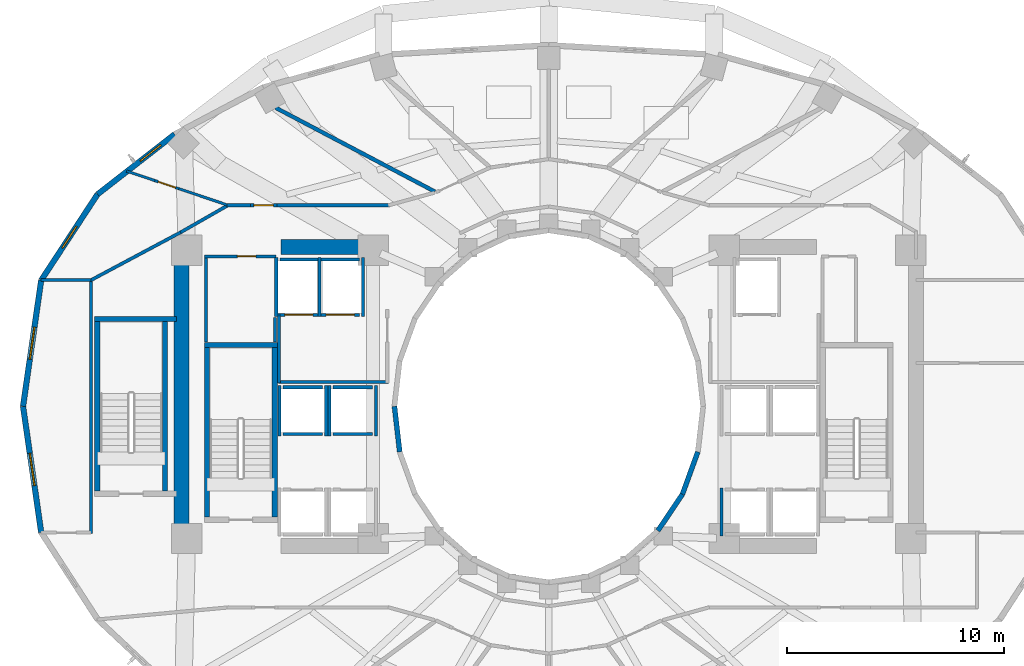
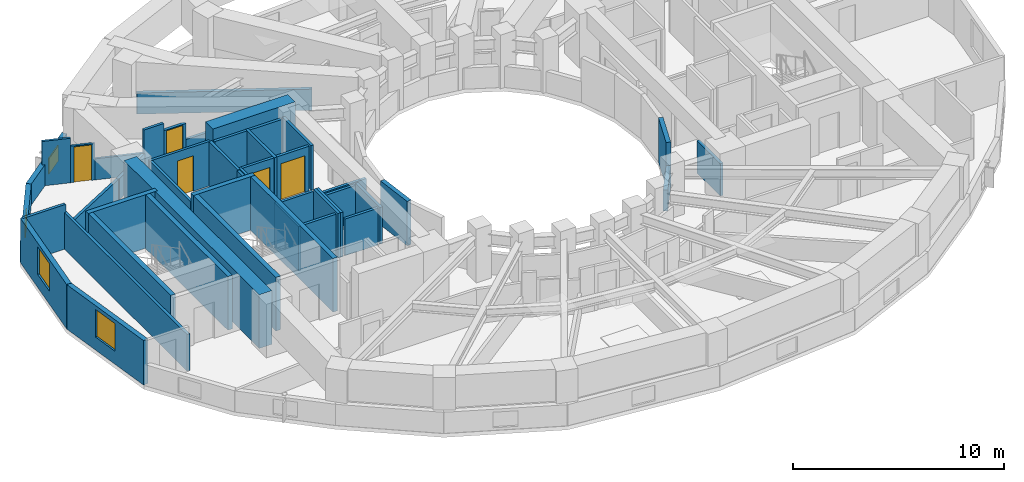
# One storey, part 4 of 10: 47 walls, 5 doors, 4 windows, 9 openings.
"""IFC4 building model written with IfcOpenShell, lengths in metres."""

from ifc_helpers import new_model, si_unit, direction, frame, frame_2d, origin, place, context, subcontext, project, spatial, rectangle, extrude, material, layer, layer_set, type_object, element, fill, save


model = new_model("IFC4")

# Units and contexts
model_context = context("Model", 3, precision=1e-05, world=origin(), true_north=direction((0.0, 1.0)))
body_context = subcontext(model_context, "Body", "Model", "MODEL_VIEW")
ifc_project = project(units=[si_unit("LENGTHUNIT", "METRE"), si_unit("AREAUNIT", "SQUARE_METRE"), si_unit("VOLUMEUNIT", "CUBIC_METRE"), si_unit("PLANEANGLEUNIT", "RADIAN"), si_unit("MASSUNIT", "GRAM", prefix="KILO")], contexts=[model_context])

# Site, building, storey
site_placement = place(None, origin())
site = spatial("IfcSite", under=ifc_project, at=site_placement, CompositionType="ELEMENT")
building_placement = place(site_placement, origin())
building = spatial("IfcBuilding", under=site, at=building_placement, Name="Solvane Sanctuary Tower", CompositionType="ELEMENT")
storey_placement = place(building_placement, frame((0.0, 0.0, 101.10009765625)))
storey = spatial("IfcBuildingStorey", under=building, at=storey_placement, Name="L30", CompositionType="ELEMENT", Elevation=101.10009765625)

# Walls
ifc_material_1 = material(Name="Concrete C60/75", Category="concrete")
ifc_layer_1 = layer(ifc_material_1, 0.699951171875, Name="Concrete C60/75")
ifc_layer_set_1 = layer_set([ifc_layer_1], Name="Concrete C60/75")
wall_type_1 = type_object("IfcWallType", Name="Wall W-CORE-700", PredefinedType="SHEAR", material=ifc_layer_set_1)
wall_1_placement = place(storey_placement, frame((15.050048828125, 17.050048828125, 0.0), z_axis=(0.0, 0.0, 1.0), x_axis=(0.0, 1.0, 0.0)))
element("IfcWall", 1, at=wall_1_placement, inside=storey, type_object=wall_type_1, Name="L30 Core Shear Wall WC-W", PredefinedType="SHEAR", context=body_context, shape_type="SweptSolid", body=[
    extrude(rectangle(XDim=12.800048828125, YDim=0.699951171875, at=frame_2d((6.39990234375, 0.0))), origin(), (0.0, 0.0, 1.0), 3.099853515625),
])
wall_2_placement = place(storey_placement, frame((19.64990234375, 30.35009765625, 0.0), z_axis=(0.0, 0.0, 1.0), x_axis=(1.0, 0.0, 0.0)))
element("IfcWall", 2, at=wall_2_placement, inside=storey, type_object=wall_type_1, Name="L30 Core Shear Wall WC-N", PredefinedType="SHEAR", context=body_context, shape_type="SweptSolid", body=[
    extrude(rectangle(XDim=4.5, YDim=0.699951171875, at=frame_2d((2.25, 0.0))), origin(), (0.0, 0.0, 1.0), 3.099853515625),
])
ifc_material_2 = material(Name="Acoustic Gypsum Partition Board")
ifc_layer_2 = layer(ifc_material_2, 0.14990234375, Name="Acoustic Gypsum Partition Board")
ifc_layer_set_2 = layer_set([ifc_layer_2], Name="Acoustic Gypsum Partition Board")
wall_type_2 = type_object("IfcWallType", Name="Wall W-CORR-150", PredefinedType="PARTITIONING", material=ifc_layer_set_2)
wall_3_placement = place(storey_placement, frame((19.52001953125, 24.1201171875, 0.0), z_axis=(0.0, 0.0, 1.0), x_axis=(1.0, 0.0, 0.0)))
element("IfcWall", 3, at=wall_3_placement, inside=storey, type_object=wall_type_2, Name="L30 West Firefighting Lobby South Wall", PredefinedType="PARTITIONING", context=body_context, shape_type="SweptSolid", body=[
    extrude(rectangle(XDim=5.080078125, YDim=0.14990234375, at=frame_2d((2.5400390625, 0.0))), origin(), (0.0, 0.0, 1.0), 2.119873046875),
])
wall_4_placement = place(storey_placement, frame((19.550048828125, 24.080078125, 0.0), z_axis=(0.0, 0.0, 1.0), x_axis=(0.0, 1.0, 0.0)))
element("IfcWall", 4, at=wall_4_placement, inside=storey, type_object=wall_type_2, Name="L30 West Firefighting Lobby West Wall", PredefinedType="PARTITIONING", context=body_context, shape_type="SweptSolid", body=[
    extrude(rectangle(XDim=3.199951171875, YDim=0.14990234375, at=frame_2d((1.60009765625, 0.0))), origin(), (0.0, 0.0, 1.0), 2.574951171875),
])
wall_5_placement = place(storey_placement, frame((10.8798828125, 17.134765625, 0.0), z_axis=(0.0, 0.0, 1.0), x_axis=(0.0, 1.0, 0.0)))
element("IfcWall", 5, at=wall_5_placement, inside=storey, type_object=wall_type_2, Name="L30 West Shoulder Back Wall", PredefinedType="PARTITIONING", context=body_context, shape_type="SweptSolid", body=[
    extrude(rectangle(XDim=11.73046875, YDim=0.14990234375, at=frame_2d((5.865234375, 0.0))), origin(), (0.0, 0.0, 1.0), 2.119873046875),
])
wall_6_placement = place(storey_placement, frame((8.558349609375, 28.8251953125, 0.0), z_axis=(0.0, 0.0, 1.0), x_axis=(1.0, 0.0, 0.0)))
element("IfcWall", 6, at=wall_6_placement, inside=storey, type_object=wall_type_2, Name="L30 West Shoulder North Wall", PredefinedType="PARTITIONING", context=body_context, shape_type="SweptSolid", body=[
    extrude(rectangle(XDim=2.321533203125, YDim=0.14990234375, at=frame_2d((1.16064453125, 0.0))), origin(), (0.0, 0.0, 1.0), 2.574951171875),
])
wall_7_placement = place(storey_placement, frame((10.8447265625, 28.806396484375, 0.0), z_axis=(0.0, 0.0, 1.0), x_axis=(0.88227840565, 0.470727962759, 0.0)))
element("IfcWall", 7, at=wall_7_placement, inside=storey, type_object=wall_type_2, Name="L30 NW Corner Closer 1", PredefinedType="PARTITIONING", context=body_context, shape_type="SweptSolid", body=[
    extrude(rectangle(XDim=4.806396484375, YDim=0.14990234375, at=frame_2d((2.4033203125, 0.0))), origin(), (0.0, 0.0, 1.0), 1.219970703125),
])
wall_8_placement = place(storey_placement, frame((17.14990234375, 32.280029296875, 0.0), z_axis=(0.0, 0.0, 1.0), x_axis=(1.0, 0.0, 0.0)))
element("IfcWall", 8, at=wall_8_placement, inside=storey, type_object=wall_type_2, Name="L30 NW Corner Corridor Wall", PredefinedType="PARTITIONING", context=body_context, shape_type="SweptSolid", body=[
    extrude(rectangle(XDim=1.08251953125, YDim=0.14990234375, at=frame_2d((0.541259765625, 0.0))), origin(), (0.0, 0.0, 1.0), 2.574951171875),
])

# Wall, opening, door
wall_9_placement = place(storey_placement, frame((18.232421875, 32.280029296875, 0.0), z_axis=(0.0, 0.0, 1.0), x_axis=(1.0, 0.0, 0.0)))
wall_9 = element("IfcWall", 9, at=wall_9_placement, inside=storey, type_object=wall_type_2, Name="L30 NW Corner Corridor Wall", PredefinedType="PARTITIONING", context=body_context, shape_type="SweptSolid", body=[
    extrude(rectangle(XDim=1.219970703125, YDim=0.14990234375, at=frame_2d((0.60986328125, 0.0))), origin(), (0.0, 0.0, 1.0), 2.159912109375),
])
opening_1_placement = place(wall_9_placement, frame((0.159912109375, 0.0, 0.0)))
opening_1 = element("IfcOpeningElement", 10, at=opening_1_placement, cuts=wall_9, Name="Opening D-L30-13", PredefinedType="OPENING", context=body_context, shape_type="SweptSolid", body=[
    extrude(rectangle(XDim=0.89990234375, YDim=2.10009765625, at=frame_2d((0.449951171875, 1.050048828125))), frame((0.0, 0.0849609375, 0.0), z_axis=(0.0, -1.0, 0.0), x_axis=(1.0, 0.0, 0.0)), (0.0, 0.0, 1.0), 0.169921875),
])
ifc_material_3 = material(Name="Engineered Tropical Hardwood", Category="wood")
door_type_1 = type_object("IfcDoorType", Name="Door D-WET-900", OperationType="NOTDEFINED", PredefinedType="DOOR", material=ifc_material_3)
door_1_placement = place(opening_1_placement, origin())
door_1 = element("IfcDoor", 11, at=door_1_placement, inside=storey, type_object=door_type_1, Name="L30 NW Corner Salon Door", OperationType="SINGLE_SWING_RIGHT", OverallHeight=2.10009765625, OverallWidth=0.89990234375, PredefinedType="DOOR", context=body_context, shape_type="SweptSolid", body=[
    extrude(rectangle(XDim=0.89990234375, YDim=2.10009765625, at=frame_2d((0.449951171875, 1.050048828125))), frame((0.0, 0.02490234375, 0.0), z_axis=(0.0, -1.0, 0.0), x_axis=(1.0, 0.0, 0.0)), (0.0, 0.0, 1.0), 0.050048828125),
])
fill(opening_1, door_1)

# Walls
wall_10_placement = place(storey_placement, frame((19.452392578125, 32.280029296875, 0.0), z_axis=(0.0, 0.0, 1.0), x_axis=(1.0, 0.0, 0.0)))
element("IfcWall", 12, at=wall_10_placement, inside=storey, type_object=wall_type_2, Name="L30 NW Corner Corridor Wall", PredefinedType="PARTITIONING", context=body_context, shape_type="SweptSolid", body=[
    extrude(rectangle(XDim=5.217529296875, YDim=0.14990234375, at=frame_2d((2.60888671875, 0.0))), origin(), (0.0, 0.0, 1.0), 1.219970703125),
])
wall_11_placement = place(storey_placement, frame((17.243408203125, 32.3046875, 0.0), z_axis=(0.0, 0.0, 1.0), x_axis=(-0.867991349648, -0.496579315857, 0.0)))
element("IfcWall", 13, at=wall_11_placement, inside=storey, type_object=wall_type_2, Name="L30 NW Corner Wing Wall", PredefinedType="PARTITIONING", context=body_context, shape_type="SweptSolid", body=[
    extrude(rectangle(XDim=2.56689453125, YDim=0.14990234375, at=frame_2d((1.283447265625, 0.0))), origin(), (0.0, 0.0, 1.0), 1.219970703125),
])

# Wall, opening, window
ifc_material_4 = material(Name="Precast concrete C40/50", Category="concrete")
ifc_layer_3 = layer(ifc_material_4, 0.260009765625, Name="Precast concrete C40/50")
ifc_layer_set_3 = layer_set([ifc_layer_3], Name="Precast concrete C40/50")
wall_type_3 = type_object("IfcWallType", Name="Wall W-EXT-250", PredefinedType="STANDARD", material=ifc_layer_set_3)
wall_12_placement = place(storey_placement, frame((14.734130859375, 35.55322265625, 0.0), z_axis=(0.0, 0.0, 1.0), x_axis=(-0.789127449954, -0.614229491094, 0.0)))
wall_12 = element("IfcWall", 14, at=wall_12_placement, inside=storey, type_object=wall_type_3, Name="L30 Ceramic-Printed Facade Wall 09", PredefinedType="STANDARD", context=body_context, shape_type="SweptSolid", body=[
    extrude(rectangle(XDim=4.504638671875, YDim=0.260009765625, at=frame_2d((2.25244140625, 0.0))), origin(), (0.0, 0.0, 1.0), 1.219970703125),
])
opening_2_placement = place(wall_12_placement, frame((0.81298828125, 0.0, 0.14990234375)))
opening_2 = element("IfcOpeningElement", 15, at=opening_2_placement, cuts=wall_12, Name="Opening WN-OPER-1200", PredefinedType="OPENING", context=body_context, shape_type="SweptSolid", body=[
    extrude(rectangle(XDim=1.199951171875, YDim=0.89990234375, at=frame_2d((0.60009765625, 0.449951171875))), frame((0.0, 0.139892578125, 0.0), z_axis=(0.0, -1.0, 0.0), x_axis=(1.0, 0.0, 0.0)), (0.0, 0.0, 1.0), 0.280029296875),
])
ifc_material_5 = material(Name="Dark Ceramic-Fritted Low-E Glass", Category="glass")
window_type_1 = type_object("IfcWindowType", Name="Window WN-OPER-1200", PartitioningType="SINGLE_PANEL", PredefinedType="WINDOW", material=ifc_material_5)
window_1_placement = place(opening_2_placement, origin())
window_1 = element("IfcWindow", 16, at=window_1_placement, inside=storey, type_object=window_type_1, Name="L30 Operable Facade Window 09", OverallHeight=0.89990234375, OverallWidth=1.199951171875, PartitioningType="SINGLE_PANEL", PredefinedType="WINDOW", context=body_context, shape_type="SweptSolid", body=[
    extrude(rectangle(XDim=1.199951171875, YDim=0.89990234375, at=frame_2d((0.60009765625, 0.449951171875))), frame((0.0, 0.030029296875, 0.0), z_axis=(0.0, -1.0, 0.0), x_axis=(1.0, 0.0, 0.0)), (0.0, 0.0, 1.0), 0.06005859375),
])
fill(opening_2, window_1)

wall_13_placement = place(storey_placement, frame((11.179443359375, 32.786376953125, 0.0), z_axis=(0.0, 0.0, 1.0), x_axis=(-0.548283220945, -0.836292717672, 0.0)))
wall_13 = element("IfcWall", 17, at=wall_13_placement, inside=storey, type_object=wall_type_3, Name="L30 Ceramic-Printed Facade Wall 10", PredefinedType="STANDARD", context=body_context, shape_type="SweptSolid", body=[
    extrude(rectangle(XDim=4.744384765625, YDim=0.260009765625, at=frame_2d((2.3720703125, 0.0))), origin(), (0.0, 0.0, 1.0), 1.219970703125),
])
opening_3_placement = place(wall_13_placement, frame((1.772216796875, 0.0, 0.14990234375)))
opening_3 = element("IfcOpeningElement", 18, at=opening_3_placement, cuts=wall_13, Name="Opening WN-OPER-1200", PredefinedType="OPENING", context=body_context, shape_type="SweptSolid", body=[
    extrude(rectangle(XDim=1.199951171875, YDim=0.89990234375, at=frame_2d((0.60009765625, 0.449951171875))), frame((0.0, 0.139892578125, 0.0), z_axis=(0.0, -1.0, 0.0), x_axis=(1.0, 0.0, 0.0)), (0.0, 0.0, 1.0), 0.280029296875),
])
window_2_placement = place(opening_3_placement, origin())
window_2 = element("IfcWindow", 19, at=window_2_placement, inside=storey, type_object=window_type_1, Name="L30 Operable Facade Window 10", OverallHeight=0.89990234375, OverallWidth=1.199951171875, PartitioningType="SINGLE_PANEL", PredefinedType="WINDOW", context=body_context, shape_type="SweptSolid", body=[
    extrude(rectangle(XDim=1.199951171875, YDim=0.89990234375, at=frame_2d((0.60009765625, 0.449951171875))), frame((0.0, 0.030029296875, 0.0), z_axis=(0.0, -1.0, 0.0), x_axis=(1.0, 0.0, 0.0)), (0.0, 0.0, 1.0), 0.06005859375),
])
fill(opening_3, window_2)

wall_14_placement = place(storey_placement, frame((8.578125, 28.818603515625, 0.0), z_axis=(0.0, 0.0, 1.0), x_axis=(-0.142572472068, -0.98978436551, 0.0)))
wall_14 = element("IfcWall", 20, at=wall_14_placement, inside=storey, type_object=wall_type_3, Name="L30 Ceramic-Printed Facade Wall 11", PredefinedType="STANDARD", context=body_context, shape_type="SweptSolid", body=[
    extrude(rectangle(XDim=5.878662109375, YDim=0.260009765625, at=frame_2d((2.939453125, 0.0))), origin(), (0.0, 0.0, 1.0), 2.56982421875),
])
opening_4_placement = place(wall_14_placement, frame((2.189453125, 0.0, 0.75)))
opening_4 = element("IfcOpeningElement", 21, at=opening_4_placement, cuts=wall_14, Name="Opening WN-OPER-1500", PredefinedType="OPENING", context=body_context, shape_type="SweptSolid", body=[
    extrude(rectangle(XDim=1.5, YDim=1.60009765625, at=frame_2d((0.75, 0.800048828125))), frame((0.0, 0.139892578125, 0.0), z_axis=(0.0, -1.0, 0.0), x_axis=(1.0, 0.0, 0.0)), (0.0, 0.0, 1.0), 0.280029296875),
])
window_type_2 = type_object("IfcWindowType", Name="Window WN-OPER-1500", PartitioningType="SINGLE_PANEL", PredefinedType="WINDOW", material=ifc_material_5)
window_3_placement = place(opening_4_placement, origin())
window_3 = element("IfcWindow", 22, at=window_3_placement, inside=storey, type_object=window_type_2, Name="L30 Operable Facade Window 11", OverallHeight=1.60009765625, OverallWidth=1.5, PartitioningType="SINGLE_PANEL", PredefinedType="WINDOW", context=body_context, shape_type="SweptSolid", body=[
    extrude(rectangle(XDim=1.5, YDim=1.60009765625, at=frame_2d((0.75, 0.800048828125))), frame((0.0, 0.030029296875, 0.0), z_axis=(0.0, -1.0, 0.0), x_axis=(1.0, 0.0, 0.0)), (0.0, 0.0, 1.0), 0.06005859375),
])
fill(opening_4, window_3)

wall_15_placement = place(storey_placement, frame((7.739990234375, 23.0, 0.0), z_axis=(0.0, 0.0, 1.0), x_axis=(0.142572472068, -0.98978436551, 0.0)))
wall_15 = element("IfcWall", 23, at=wall_15_placement, inside=storey, type_object=wall_type_3, Name="L30 Ceramic-Printed Facade Wall 12", PredefinedType="STANDARD", context=body_context, shape_type="SweptSolid", body=[
    extrude(rectangle(XDim=5.878662109375, YDim=0.260009765625, at=frame_2d((2.939453125, 0.0))), origin(), (0.0, 0.0, 1.0), 2.56982421875),
])
opening_5_placement = place(wall_15_placement, frame((2.189453125, 0.0, 0.75)))
opening_5 = element("IfcOpeningElement", 24, at=opening_5_placement, cuts=wall_15, Name="Opening WN-OPER-1500", PredefinedType="OPENING", context=body_context, shape_type="SweptSolid", body=[
    extrude(rectangle(XDim=1.5, YDim=1.60009765625, at=frame_2d((0.75, 0.800048828125))), frame((0.0, 0.139892578125, 0.0), z_axis=(0.0, -1.0, 0.0), x_axis=(1.0, 0.0, 0.0)), (0.0, 0.0, 1.0), 0.280029296875),
])
window_4_placement = place(opening_5_placement, origin())
window_4 = element("IfcWindow", 25, at=window_4_placement, inside=storey, type_object=window_type_2, Name="L30 Operable Facade Window 12", OverallHeight=1.60009765625, OverallWidth=1.5, PartitioningType="SINGLE_PANEL", PredefinedType="WINDOW", context=body_context, shape_type="SweptSolid", body=[
    extrude(rectangle(XDim=1.5, YDim=1.60009765625, at=frame_2d((0.75, 0.800048828125))), frame((0.0, 0.030029296875, 0.0), z_axis=(0.0, -1.0, 0.0), x_axis=(1.0, 0.0, 0.0)), (0.0, 0.0, 1.0), 0.06005859375),
])
fill(opening_5, window_4)

# Walls
ifc_layer_4 = layer(ifc_material_4, 0.22998046875, Name="Precast concrete C40/50")
ifc_layer_set_4 = layer_set([ifc_layer_4], Name="Precast concrete C40/50")
wall_type_4 = type_object("IfcWallType", Name="Wall W-EXT-SP220", PredefinedType="STANDARD", material=ifc_layer_set_4)
wall_16_placement = place(storey_placement, frame((24.8798828125, 23.0, 0.0), z_axis=(0.0, 0.0, 1.0), x_axis=(0.114711713601, -0.993398823617, 0.0)))
element("IfcWall", 26, at=wall_16_placement, inside=storey, type_object=wall_type_4, Name="L30 Central Light-Well Wall 12", PredefinedType="STANDARD", context=body_context, shape_type="SweptSolid", body=[
    extrude(rectangle(XDim=2.115478515625, YDim=0.22998046875, at=frame_2d((1.0576171875, 0.0))), origin(), (0.0, 0.0, 1.0), 2.559814453125),
])
wall_17_placement = place(storey_placement, frame((37.03466796875, 17.25830078125, 0.0), z_axis=(0.0, 0.0, 1.0), x_axis=(0.558197800898, 0.829707909492, 0.0)))
element("IfcWall", 27, at=wall_17_placement, inside=storey, type_object=wall_type_4, Name="L30 Central Light-Well Wall 21", PredefinedType="STANDARD", context=body_context, shape_type="SweptSolid", body=[
    extrude(rectangle(XDim=2.02685546875, YDim=0.22998046875, at=frame_2d((1.013427734375, 0.0))), origin(), (0.0, 0.0, 1.0), 1.219970703125),
])
wall_18_placement = place(storey_placement, frame((38.166015625, 18.93994140625, 0.0), z_axis=(0.0, 0.0, 1.0), x_axis=(0.341423187295, 0.93990968033, 0.0)))
element("IfcWall", 28, at=wall_18_placement, inside=storey, type_object=wall_type_4, Name="L30 Central Light-Well Wall 22", PredefinedType="STANDARD", context=body_context, shape_type="SweptSolid", body=[
    extrude(rectangle(XDim=2.083740234375, YDim=0.22998046875, at=frame_2d((1.0419921875, 0.0))), origin(), (0.0, 0.0, 1.0), 2.559814453125),
])
ifc_layer_5 = layer(ifc_material_2, 0.1201171875, Name="Acoustic Gypsum Partition Board")
ifc_layer_set_5 = layer_set([ifc_layer_5], Name="Acoustic Gypsum Partition Board")
wall_type_5 = type_object("IfcWallType", Name="Wall W-MOV-100", PredefinedType="MOVABLE", material=ifc_layer_set_5)
wall_19_placement = place(storey_placement, frame((17.247314453125, 32.263916015625, 0.0), z_axis=(0.0, 0.0, 1.0), x_axis=(-0.947688660973, 0.319196180841, 0.0)))
element("IfcWall", 29, at=wall_19_placement, inside=storey, type_object=wall_type_5, Name="L30 NW Corner Suite Partition", PredefinedType="MOVABLE", context=body_context, shape_type="SweptSolid", body=[
    extrude(rectangle(XDim=2.44140625, YDim=0.1201171875, at=frame_2d((1.220703125, 0.0))), origin(), (0.0, 0.0, 1.0), 1.219970703125),
])

# Wall, opening, door
wall_20_placement = place(storey_placement, frame((14.93359375, 33.043212890625, 0.0), z_axis=(0.0, 0.0, 1.0), x_axis=(-0.947677032212, 0.319230704378, 0.0)))
wall_20 = element("IfcWall", 30, at=wall_20_placement, inside=storey, type_object=wall_type_5, Name="L30 NW Corner Suite Partition", PredefinedType="MOVABLE", context=body_context, shape_type="SweptSolid", body=[
    extrude(rectangle(XDim=1.170166015625, YDim=0.1201171875, at=frame_2d((0.5849609375, 0.0))), origin(), (0.0, 0.0, 1.0), 2.10986328125),
])
opening_6_placement = place(wall_20_placement, frame((0.159912109375, 0.0, 0.0)))
opening_6 = element("IfcOpeningElement", 31, at=opening_6_placement, cuts=wall_20, Name="Opening D-L30-12", PredefinedType="OPENING", context=body_context, shape_type="SweptSolid", body=[
    extrude(rectangle(XDim=0.85009765625, YDim=2.050048828125, at=frame_2d((0.425048828125, 1.02490234375))), frame((0.0, 0.070068359375, 0.0), z_axis=(0.0, -1.0, 0.0), x_axis=(1.0, 0.0, 0.0)), (0.0, 0.0, 1.0), 0.14013671875),
])
ifc_material_6 = material(Name="Architectural Stainless Steel 316", Category="steel")
door_type_2 = type_object("IfcDoorType", Name="Door D-RISER", OperationType="NOTDEFINED", PredefinedType="DOOR", material=ifc_material_6)
door_2_placement = place(opening_6_placement, origin())
door_2 = element("IfcDoor", 32, at=door_2_placement, inside=storey, type_object=door_type_2, Name="L30 NW Corner Suite Door", OperationType="SINGLE_SWING_LEFT", OverallHeight=2.050048828125, OverallWidth=0.85009765625, PredefinedType="DOOR", context=body_context, shape_type="SweptSolid", body=[
    extrude(rectangle(XDim=0.85009765625, YDim=2.050048828125, at=frame_2d((0.425048828125, 1.02490234375))), frame((0.0, 0.02490234375, 0.0), z_axis=(0.0, -1.0, 0.0), x_axis=(1.0, 0.0, 0.0)), (0.0, 0.0, 1.0), 0.050048828125),
])
fill(opening_6, door_2)

# Walls
wall_21_placement = place(storey_placement, frame((13.82470703125, 33.416748046875, 0.0), z_axis=(0.0, 0.0, 1.0), x_axis=(-0.947722197734, 0.319096593404, 0.0)))
element("IfcWall", 33, at=wall_21_placement, inside=storey, type_object=wall_type_5, Name="L30 NW Corner Suite Partition", PredefinedType="MOVABLE", context=body_context, shape_type="SweptSolid", body=[
    extrude(rectangle(XDim=1.3779296875, YDim=0.1201171875, at=frame_2d((0.68896484375, 0.0))), origin(), (0.0, 0.0, 1.0), 2.574951171875),
])
ifc_material_7 = material(Name="Concrete C50/60", Category="concrete")
ifc_layer_6 = layer(ifc_material_7, 0.14990234375, Name="Concrete C50/60")
ifc_layer_set_6 = layer_set([ifc_layer_6], Name="Concrete C50/60")
wall_type_6 = type_object("IfcWallType", Name="Wall W-SHAFT-150", PredefinedType="SOLIDWALL", material=ifc_layer_set_6)
wall_22_placement = place(storey_placement, frame((39.969970703125, 17.02001953125, 0.0), z_axis=(0.0, 0.0, 1.0), x_axis=(0.0, 1.0, 0.0)))
element("IfcWall", 34, at=wall_22_placement, inside=storey, type_object=wall_type_6, Name="L30 PL-3 Lift Shaft Wall S1", PredefinedType="SOLIDWALL", context=body_context, shape_type="SweptSolid", body=[
    extrude(rectangle(XDim=2.219970703125, YDim=0.14990234375, at=frame_2d((1.10986328125, 0.0))), origin(), (0.0, 0.0, 1.0), 1.872802734375),
])
for number, where, z_axis, x_axis, name in (
    (35, (19.739990234375, 21.719970703125, 0.0), (0.0, 0.0, 1.0), (1.0, 0.0, 0.0), "L30 PM-1 Lift Shaft Wall F"),
    (36, (19.739990234375, 23.8798828125, 0.0), (0.0, 0.0, 1.0), (1.0, 0.0, 0.0), "L30 PM-1 Lift Shaft Wall B"),
):
    element("IfcWall", number, at=place(storey_placement, frame(where, z_axis=z_axis, x_axis=x_axis)), inside=storey, type_object=wall_type_6, Name=name, PredefinedType="SOLIDWALL", context=body_context, shape_type="SweptSolid", body=[
        extrude(rectangle(XDim=1.820068359375, YDim=0.14990234375, at=frame_2d((0.91015625, 0.0))), origin(), (0.0, 0.0, 1.0), 2.574951171875),
    ])
for number, where, z_axis, x_axis, name in (
    (37, (19.570068359375, 21.639892578125, 0.0), (0.0, 0.0, 1.0), (0.0, 1.0, 0.0), "L30 PM-1 Lift Shaft Wall S1"),
    (38, (21.72998046875, 21.639892578125, 0.0), (0.0, 0.0, 1.0), (0.0, 1.0, 0.0), "L30 PM-1 Lift Shaft Wall S2"),
):
    element("IfcWall", number, at=place(storey_placement, frame(where, z_axis=z_axis, x_axis=x_axis)), inside=storey, type_object=wall_type_6, Name=name, PredefinedType="SOLIDWALL", context=body_context, shape_type="SweptSolid", body=[
        extrude(rectangle(XDim=2.320068359375, YDim=0.14990234375, at=frame_2d((1.16015625, 0.0))), origin(), (0.0, 0.0, 1.0), 2.574951171875),
    ])
for number, where, z_axis, x_axis, name in (
    (39, (22.0400390625, 21.719970703125, 0.0), (0.0, 0.0, 1.0), (1.0, 0.0, 0.0), "L30 PH-1 Lift Shaft Wall F"),
    (40, (22.0400390625, 23.8798828125, 0.0), (0.0, 0.0, 1.0), (1.0, 0.0, 0.0), "L30 PH-1 Lift Shaft Wall B"),
):
    element("IfcWall", number, at=place(storey_placement, frame(where, z_axis=z_axis, x_axis=x_axis)), inside=storey, type_object=wall_type_6, Name=name, PredefinedType="SOLIDWALL", context=body_context, shape_type="SweptSolid", body=[
        extrude(rectangle(XDim=1.820068359375, YDim=0.14990234375, at=frame_2d((0.91015625, 0.0))), origin(), (0.0, 0.0, 1.0), 2.119873046875),
    ])
wall_23_placement = place(storey_placement, frame((21.8701171875, 21.639892578125, 0.0), z_axis=(0.0, 0.0, 1.0), x_axis=(0.0, 1.0, 0.0)))
element("IfcWall", 41, at=wall_23_placement, inside=storey, type_object=wall_type_6, Name="L30 PH-1 Lift Shaft Wall S1", PredefinedType="SOLIDWALL", context=body_context, shape_type="SweptSolid", body=[
    extrude(rectangle(XDim=2.320068359375, YDim=0.14990234375, at=frame_2d((1.16015625, 0.0))), origin(), (0.0, 0.0, 1.0), 2.574951171875),
])
wall_24_placement = place(storey_placement, frame((24.030029296875, 21.639892578125, 0.0), z_axis=(0.0, 0.0, 1.0), x_axis=(0.0, 1.0, 0.0)))
element("IfcWall", 42, at=wall_24_placement, inside=storey, type_object=wall_type_6, Name="L30 PH-1 Lift Shaft Wall S2", PredefinedType="SOLIDWALL", context=body_context, shape_type="SweptSolid", body=[
    extrude(rectangle(XDim=2.320068359375, YDim=0.14990234375, at=frame_2d((1.16015625, 0.0))), origin(), (0.0, 0.0, 1.0), 2.119873046875),
])

# Wall, opening, door
wall_25_placement = place(storey_placement, frame((19.590087890625, 27.219970703125, 0.0), z_axis=(0.0, 0.0, 1.0), x_axis=(1.0, 0.0, 0.0)))
wall_25 = element("IfcWall", 43, at=wall_25_placement, inside=storey, type_object=wall_type_6, Name="L30 FFL-1 Lift Shaft Wall F", PredefinedType="SOLIDWALL", context=body_context, shape_type="SweptSolid", body=[
    extrude(rectangle(XDim=1.760009765625, YDim=0.14990234375, at=frame_2d((0.8798828125, 0.0))), origin(), (0.0, 0.0, 1.0), 2.574951171875),
])
opening_7_placement = place(wall_25_placement, frame((0.22998046875, 0.0, 0.0)))
opening_7 = element("IfcOpeningElement", 44, at=opening_7_placement, cuts=wall_25, Name="Opening LD-L30-05", PredefinedType="OPENING", context=body_context, shape_type="SweptSolid", body=[
    extrude(rectangle(XDim=1.300048828125, YDim=2.10009765625, at=frame_2d((0.64990234375, 1.050048828125))), frame((0.0, 0.0849609375, 0.0), z_axis=(0.0, -1.0, 0.0), x_axis=(1.0, 0.0, 0.0)), (0.0, 0.0, 1.0), 0.169921875),
])
door_type_3 = type_object("IfcDoorType", Name="Door LD-FFL-1300", OperationType="NOTDEFINED", PredefinedType="DOOR", material=ifc_material_6)
door_3_placement = place(opening_7_placement, origin())
door_3 = element("IfcDoor", 45, at=door_3_placement, inside=storey, type_object=door_type_3, Name="L30 FFL-1 Lift Landing Door", OperationType="DOUBLE_DOOR_SLIDING", OverallHeight=2.10009765625, OverallWidth=1.300048828125, PredefinedType="DOOR", context=body_context, shape_type="SweptSolid", body=[
    extrude(rectangle(XDim=1.300048828125, YDim=2.10009765625, at=frame_2d((0.64990234375, 1.050048828125))), frame((0.0, 0.02490234375, 0.0), z_axis=(0.0, -1.0, 0.0), x_axis=(1.0, 0.0, 0.0)), (0.0, 0.0, 1.0), 0.050048828125),
])
fill(opening_7, door_3)

# Walls
wall_26_placement = place(storey_placement, frame((19.590087890625, 29.780029296875, 0.0), z_axis=(0.0, 0.0, 1.0), x_axis=(1.0, 0.0, 0.0)))
element("IfcWall", 46, at=wall_26_placement, inside=storey, type_object=wall_type_6, Name="L30 FFL-1 Lift Shaft Wall B", PredefinedType="SOLIDWALL", context=body_context, shape_type="SweptSolid", body=[
    extrude(rectangle(XDim=1.760009765625, YDim=0.14990234375, at=frame_2d((0.8798828125, 0.0))), origin(), (0.0, 0.0, 1.0), 2.574951171875),
])
for number, where, z_axis, x_axis, name in (
    (47, (19.419921875, 27.139892578125, 0.0), (0.0, 0.0, 1.0), (0.0, 1.0, 0.0), "L30 FFL-1 Lift Shaft Wall S1"),
    (48, (21.425048828125, 27.139892578125, 0.0), (0.0, 0.0, 1.0), (0.0, 1.0, 0.0), "L30 FFL-1 Lift Shaft Wall S2"),
):
    element("IfcWall", number, at=place(storey_placement, frame(where, z_axis=z_axis, x_axis=x_axis)), inside=storey, type_object=wall_type_6, Name=name, PredefinedType="SOLIDWALL", context=body_context, shape_type="SweptSolid", body=[
        extrude(rectangle(XDim=2.72021484375, YDim=0.14990234375, at=frame_2d((1.360107421875, 0.0))), origin(), (0.0, 0.0, 1.0), 2.574951171875),
    ])

# Wall, opening, door
wall_27_placement = place(storey_placement, frame((21.5, 27.219970703125, 0.0), z_axis=(0.0, 0.0, 1.0), x_axis=(1.0, 0.0, 0.0)))
wall_27 = element("IfcWall", 49, at=wall_27_placement, inside=storey, type_object=wall_type_6, Name="L30 SVL-1 Lift Shaft Wall F", PredefinedType="SOLIDWALL", context=body_context, shape_type="SweptSolid", body=[
    extrude(rectangle(XDim=1.760009765625, YDim=0.14990234375, at=frame_2d((0.8798828125, 0.0))), origin(), (0.0, 0.0, 1.0), 2.574951171875),
])
opening_8_placement = place(wall_27_placement, frame((0.22998046875, 0.0, 0.0)))
opening_8 = element("IfcOpeningElement", 50, at=opening_8_placement, cuts=wall_27, Name="Opening LD-L30-06", PredefinedType="OPENING", context=body_context, shape_type="SweptSolid", body=[
    extrude(rectangle(XDim=1.300048828125, YDim=2.10009765625, at=frame_2d((0.64990234375, 1.050048828125))), frame((0.0, 0.0849609375, 0.0), z_axis=(0.0, -1.0, 0.0), x_axis=(1.0, 0.0, 0.0)), (0.0, 0.0, 1.0), 0.169921875),
])
door_4_placement = place(opening_8_placement, origin())
door_4 = element("IfcDoor", 51, at=door_4_placement, inside=storey, type_object=door_type_3, Name="L30 SVL-1 Lift Landing Door", OperationType="DOUBLE_DOOR_SLIDING", OverallHeight=2.10009765625, OverallWidth=1.300048828125, PredefinedType="DOOR", context=body_context, shape_type="SweptSolid", body=[
    extrude(rectangle(XDim=1.300048828125, YDim=2.10009765625, at=frame_2d((0.64990234375, 1.050048828125))), frame((0.0, 0.02490234375, 0.0), z_axis=(0.0, -1.0, 0.0), x_axis=(1.0, 0.0, 0.0)), (0.0, 0.0, 1.0), 0.050048828125),
])
fill(opening_8, door_4)

# Walls
wall_28_placement = place(storey_placement, frame((21.5, 29.780029296875, 0.0), z_axis=(0.0, 0.0, 1.0), x_axis=(1.0, 0.0, 0.0)))
element("IfcWall", 52, at=wall_28_placement, inside=storey, type_object=wall_type_6, Name="L30 SVL-1 Lift Shaft Wall B", PredefinedType="SOLIDWALL", context=body_context, shape_type="SweptSolid", body=[
    extrude(rectangle(XDim=1.760009765625, YDim=0.14990234375, at=frame_2d((0.8798828125, 0.0))), origin(), (0.0, 0.0, 1.0), 2.574951171875),
])
wall_29_placement = place(storey_placement, frame((23.429931640625, 27.139892578125, 0.0), z_axis=(0.0, 0.0, 1.0), x_axis=(0.0, 1.0, 0.0)))
element("IfcWall", 53, at=wall_29_placement, inside=storey, type_object=wall_type_6, Name="L30 SVL-1 Lift Shaft Wall S2", PredefinedType="SOLIDWALL", context=body_context, shape_type="SweptSolid", body=[
    extrude(rectangle(XDim=2.72021484375, YDim=0.14990234375, at=frame_2d((1.360107421875, 0.0))), origin(), (0.0, 0.0, 1.0), 2.574951171875),
])
ifc_layer_7 = layer(ifc_material_7, 0.25, Name="Concrete C50/60")
ifc_layer_set_7 = layer_set([ifc_layer_7], Name="Concrete C50/60")
wall_type_7 = type_object("IfcWallType", Name="Wall W-SHAFT-250", PredefinedType="SOLIDWALL", material=ifc_layer_set_7)
wall_30_placement = place(storey_placement, frame((16.10498046875, 25.830078125, 0.0), z_axis=(0.0, 0.0, 1.0), x_axis=(1.0, 0.0, 0.0)))
element("IfcWall", 54, at=wall_30_placement, inside=storey, type_object=wall_type_7, Name="L30 ST-1 Load-Bearing Shaft Wall N", PredefinedType="SOLIDWALL", context=body_context, shape_type="SweptSolid", body=[
    extrude(rectangle(XDim=3.3701171875, YDim=0.25, at=frame_2d((1.68505859375, 0.0))), origin(), (0.0, 0.0, 1.0), 3.099853515625),
])
for number, where, z_axis, x_axis, name in (
    (55, (16.22998046875, 17.89501953125, 0.0), (0.0, 0.0, 1.0), (0.0, 1.0, 0.0), "L30 ST-1 Load-Bearing Shaft Wall W"),
    (56, (19.35009765625, 17.89501953125, 0.0), (0.0, 0.0, 1.0), (0.0, 1.0, 0.0), "L30 ST-1 Load-Bearing Shaft Wall E"),
):
    element("IfcWall", number, at=place(storey_placement, frame(where, z_axis=z_axis, x_axis=x_axis)), inside=storey, type_object=wall_type_7, Name=name, PredefinedType="SOLIDWALL", context=body_context, shape_type="SweptSolid", body=[
        extrude(rectangle(XDim=7.81005859375, YDim=0.25, at=frame_2d((3.905029296875, 0.0))), origin(), (0.0, 0.0, 1.0), 3.099853515625),
    ])
wall_31_placement = place(storey_placement, frame((11.044921875, 27.030029296875, 0.0), z_axis=(0.0, 0.0, 1.0), x_axis=(1.0, 0.0, 0.0)))
element("IfcWall", 57, at=wall_31_placement, inside=storey, type_object=wall_type_7, Name="L30 ST-3 Load-Bearing Shaft Wall N", PredefinedType="SOLIDWALL", context=body_context, shape_type="SweptSolid", body=[
    extrude(rectangle(XDim=3.781982421875, YDim=0.25, at=frame_2d((1.89111328125, 0.0))), origin(), (0.0, 0.0, 1.0), 3.099853515625),
])
for number, where, z_axis, x_axis, name in (
    (58, (11.169921875, 19.094970703125, 0.0), (0.0, 0.0, 1.0), (0.0, 1.0, 0.0), "L30 ST-3 Load-Bearing Shaft Wall W"),
    (59, (14.2900390625, 19.094970703125, 0.0), (0.0, 0.0, 1.0), (0.0, 1.0, 0.0), "L30 ST-3 Load-Bearing Shaft Wall E"),
):
    element("IfcWall", number, at=place(storey_placement, frame(where, z_axis=z_axis, x_axis=x_axis)), inside=storey, type_object=wall_type_7, Name=name, PredefinedType="SOLIDWALL", context=body_context, shape_type="SweptSolid", body=[
        extrude(rectangle(XDim=7.81005859375, YDim=0.25, at=frame_2d((3.905029296875, 0.0))), origin(), (0.0, 0.0, 1.0), 3.099853515625),
    ])
ifc_layer_8 = layer(ifc_material_2, 0.179931640625, Name="Acoustic Gypsum Partition Board")
ifc_layer_set_8 = layer_set([ifc_layer_8], Name="Acoustic Gypsum Partition Board")
wall_type_8 = type_object("IfcWallType", Name="Wall W-UNIT-180", PredefinedType="PARTITIONING", material=ifc_layer_set_8)
wall_32_placement = place(storey_placement, frame((26.746337890625, 32.906982421875, 0.0), z_axis=(0.0, 0.0, 1.0), x_axis=(-0.884730147854, 0.466103599512, 0.0)))
element("IfcWall", 60, at=wall_32_placement, inside=storey, type_object=wall_type_8, Name="L30 Radial Compartment Wall 120", PredefinedType="PARTITIONING", context=body_context, shape_type="SweptSolid", body=[
    extrude(rectangle(XDim=8.309814453125, YDim=0.179931640625, at=frame_2d((4.15478515625, 0.0))), origin(), (0.0, 0.0, 1.0), 1.219970703125),
])

# Wall, opening, door
ifc_layer_9 = layer(ifc_material_2, 0.139892578125, Name="Acoustic Gypsum Partition Board")
ifc_layer_set_9 = layer_set([ifc_layer_9], Name="Acoustic Gypsum Partition Board")
wall_type_9 = type_object("IfcWallType", Name="Wall W-WET-140", PredefinedType="PLUMBINGWALL", material=ifc_layer_set_9)
wall_33_placement = place(storey_placement, frame((16.1201171875, 29.919921875, 0.0), z_axis=(0.0, 0.0, 1.0), x_axis=(1.0, 0.0, 0.0)))
wall_33 = element("IfcWall", 61, at=wall_33_placement, inside=storey, type_object=wall_type_9, Name="L30 Core Service Front Wall KW0", PredefinedType="PLUMBINGWALL", context=body_context, shape_type="SweptSolid", body=[
    extrude(rectangle(XDim=3.2998046875, YDim=0.139892578125, at=frame_2d((1.64990234375, 0.0))), origin(), (0.0, 0.0, 1.0), 2.574951171875),
])
opening_9_placement = place(wall_33_placement, frame((1.515869140625, 0.0, 0.0)))
opening_9 = element("IfcOpeningElement", 62, at=opening_9_placement, cuts=wall_33, Name="Opening D-L30-06", PredefinedType="OPENING", context=body_context, shape_type="SweptSolid", body=[
    extrude(rectangle(XDim=0.85009765625, YDim=2.050048828125, at=frame_2d((0.425048828125, 1.02490234375))), frame((0.0, 0.079833984375, 0.0), z_axis=(0.0, -1.0, 0.0), x_axis=(1.0, 0.0, 0.0)), (0.0, 0.0, 1.0), 0.159912109375),
])
door_5_placement = place(opening_9_placement, origin())
door_5 = element("IfcDoor", 63, at=door_5_placement, inside=storey, type_object=door_type_2, Name="L30 Core Service Room Door KW0-1", OperationType="SINGLE_SWING_LEFT", OverallHeight=2.050048828125, OverallWidth=0.85009765625, PredefinedType="DOOR", context=body_context, shape_type="SweptSolid", body=[
    extrude(rectangle(XDim=0.85009765625, YDim=2.050048828125, at=frame_2d((0.425048828125, 1.02490234375))), frame((0.0, 0.02490234375, 0.0), z_axis=(0.0, -1.0, 0.0), x_axis=(1.0, 0.0, 0.0)), (0.0, 0.0, 1.0), 0.050048828125),
])
fill(opening_9, door_5)

# Walls
wall_34_placement = place(storey_placement, frame((16.179931640625, 25.97998046875, 0.0), z_axis=(0.0, 0.0, 1.0), x_axis=(0.0, 1.0, 0.0)))
element("IfcWall", 64, at=wall_34_placement, inside=storey, type_object=wall_type_9, Name="L30 Core Service Side Wall KW0-1", PredefinedType="PLUMBINGWALL", context=body_context, shape_type="SweptSolid", body=[
    extrude(rectangle(XDim=3.880126953125, YDim=0.139892578125, at=frame_2d((1.93994140625, 0.0))), origin(), (0.0, 0.0, 1.0), 2.574951171875),
])
wall_35_placement = place(storey_placement, frame((19.360107421875, 25.97998046875, 0.0), z_axis=(0.0, 0.0, 1.0), x_axis=(0.0, 1.0, 0.0)))
element("IfcWall", 65, at=wall_35_placement, inside=storey, type_object=wall_type_9, Name="L30 Core Service Side Wall KW0-2", PredefinedType="PLUMBINGWALL", context=body_context, shape_type="SweptSolid", body=[
    extrude(rectangle(XDim=1.1201171875, YDim=0.139892578125, at=frame_2d((0.56005859375, 0.0))), origin(), (0.0, 0.0, 1.0), 2.574951171875),
])

save(model, "model.ifc")
